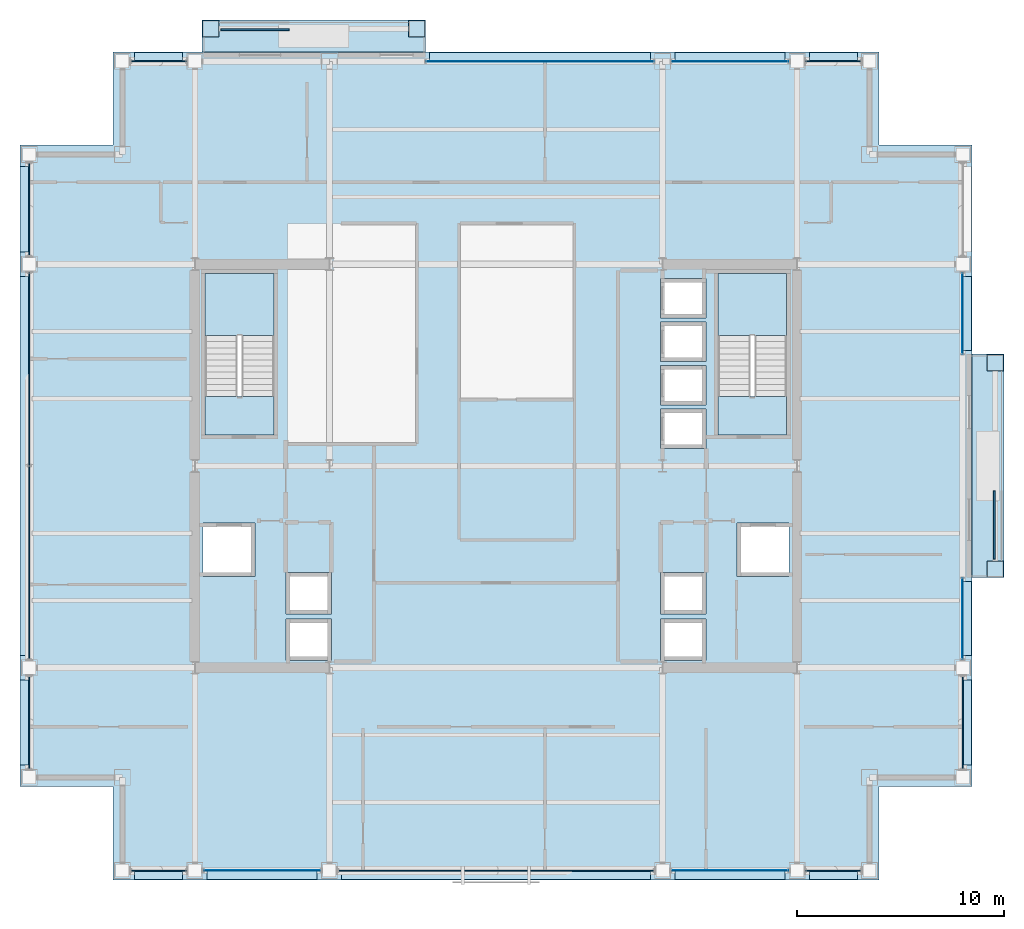
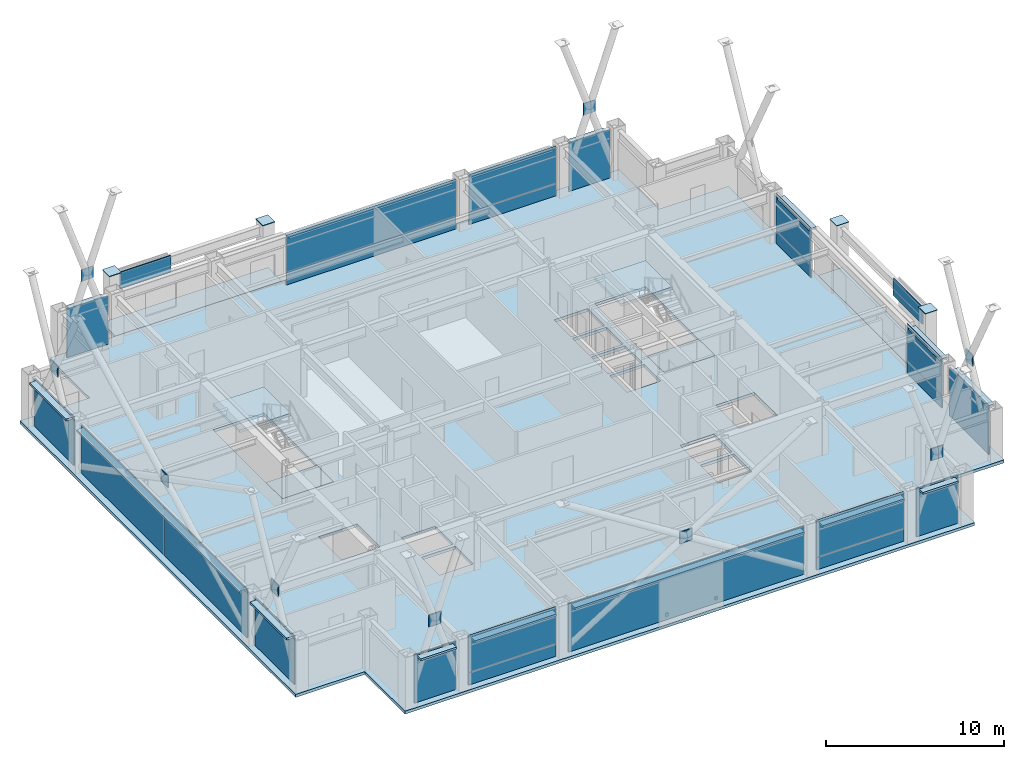
# One storey, part 26 of 33: 52 plates, 7 slabs, 17 elements without a shape of their own.
"""IFC4 building model written with IfcOpenShell, lengths in metres."""

from ifc_helpers import new_model, si_unit, direction, frame, origin, origin_2d, place, context, subcontext, project, spatial, polyline, rectangle, outline, extrude, material, layer, layer_set, type_object, element, aggregate, save


model = new_model("IFC4")

# Units and contexts
model_context = context("Model", 3, precision=1e-05, world=origin(), true_north=direction((0.0, 1.0)))
body_context = subcontext(model_context, "Body", "Model", "MODEL_VIEW")
ifc_project = project(units=[si_unit("LENGTHUNIT", "METRE"), si_unit("AREAUNIT", "SQUARE_METRE"), si_unit("VOLUMEUNIT", "CUBIC_METRE"), si_unit("PLANEANGLEUNIT", "RADIAN"), si_unit("MASSUNIT", "GRAM", prefix="KILO")], contexts=[model_context])

# Site, building, storey
site_placement = place(None, origin())
site = spatial("IfcSite", under=ifc_project, at=site_placement, CompositionType="ELEMENT")
building_placement = place(site_placement, origin())
building = spatial("IfcBuilding", under=site, at=building_placement, Name="Brelmoor Portico Tower", CompositionType="ELEMENT")
storey_placement = place(building_placement, frame((0.0, 0.0, 120.60009765625)))
storey = spatial("IfcBuildingStorey", under=building, at=storey_placement, Name="L31", CompositionType="ELEMENT", Elevation=120.60009765625)

# Plates
ifc_material_1 = material(Name="Steel Q355B", Category="steel")
ifc_layer_1 = layer(ifc_material_1, 0.044921875)
ifc_layer_set_1 = layer_set([ifc_layer_1], Name="Steel Q355B")
plate_type_1 = type_object("IfcPlateType", Name="PT-CAP-650", PredefinedType="SHEET", material=ifc_layer_set_1)
for number, where, z_axis, x_axis, name in (
    (1, (-13.780029296875, 21.1298828125, 3.599853515625), (0.0, 0.0, 1.0), (1.0, 0.0, 0.0), "L31 Proud Picture-Frame Pier PFJ-N1 Welded Head Cap Plate"),
    (2, (-3.820068359375, 21.1298828125, 3.599853515625), (0.0, 0.0, 1.0), (1.0, 0.0, 0.0), "L31 Proud Picture-Frame Pier PFJ-N2 Welded Head Cap Plate"),
    (3, (24.1298828125, -4.97998046875, 3.599853515625), (0.0, 0.0, 1.0), (0.0, 1.0, 0.0), "L31 Proud Picture-Frame Pier PFJ-E1 Welded Head Cap Plate"),
    (4, (24.1298828125, 4.97998046875, 3.599853515625), (0.0, 0.0, 1.0), (0.0, 1.0, 0.0), "L31 Proud Picture-Frame Pier PFJ-E2 Welded Head Cap Plate"),
):
    element("IfcPlate", number, at=place(storey_placement, frame(where, z_axis=z_axis, x_axis=x_axis)), inside=storey, type_object=plate_type_1, Name=name, PredefinedType="SHEET", context=body_context, shape_type="SweptSolid", body=[
        extrude(rectangle(XDim=0.7900390625, YDim=0.7900390625, at=origin_2d()), origin(), (0.0, 0.0, 1.0), 0.0400390625),
    ])

# Curtain wall, plate
ifc_material_2 = material(Name="Anodised Aluminium Alloy 6063-T6", Category="aluminium")
ifc_layer_2 = layer(ifc_material_2, 0.179931640625)
ifc_layer_set_2 = layer_set([ifc_layer_2], Name="Anodised Aluminium Alloy 6063-T6")
curtain_wall_type_1 = type_object("IfcCurtainWallType", Name="CW-TOWER-Z2", PredefinedType="NOTDEFINED", material=ifc_layer_set_2)
curtain_wall_1_placement = place(storey_placement, origin())
curtain_wall_1 = element("IfcCurtainWall", 5, at=curtain_wall_1_placement, inside=storey, type_object=curtain_wall_type_1, Name="L31 Curtain Wall CW-L31-01-2", PredefinedType="NOTDEFINED")
ifc_material_3 = material(Name="Double-Silver Low-E Insulated Glazing", Category="glass")
ifc_layer_3 = layer(ifc_material_3, 0.035888671875)
ifc_layer_set_3 = layer_set([ifc_layer_3], Name="Double-Silver Low-E Insulated Glazing")
plate_type_2 = type_object("IfcPlateType", Name="PT-CW-GLASS", PredefinedType="CURTAIN_PANEL", material=ifc_layer_set_3)
plate_1_placement = place(storey_placement, frame((-11.300048828125, -19.550048828125, 0.85009765625), z_axis=(0.0, 0.0, 1.0), x_axis=(1.0, 0.0, 0.0)))
plate_1 = element("IfcPlate", 6, at=plate_1_placement, type_object=plate_type_2, Name="CW-L31-01-2 Vision Glass Panel 00", PredefinedType="CURTAIN_PANEL", context=body_context, shape_type="SweptSolid", body=[
    extrude(rectangle(XDim=5.64990234375, YDim=0.035888671875, at=origin_2d()), origin(), (0.0, 0.0, 1.0), 2.550048828125),
])

curtain_wall_2_placement = place(storey_placement, origin())
curtain_wall_2 = element("IfcCurtainWall", 7, at=curtain_wall_2_placement, inside=storey, type_object=curtain_wall_type_1, Name="L31 Curtain Wall CW-L31-01-4", PredefinedType="NOTDEFINED")
plate_2_placement = place(storey_placement, frame((11.300048828125, -19.550048828125, 0.85009765625), z_axis=(0.0, 0.0, 1.0), x_axis=(1.0, 0.0, 0.0)))
plate_2 = element("IfcPlate", 8, at=plate_2_placement, type_object=plate_type_2, Name="CW-L31-01-4 Vision Glass Panel 00", PredefinedType="CURTAIN_PANEL", context=body_context, shape_type="SweptSolid", body=[
    extrude(rectangle(XDim=5.64990234375, YDim=0.035888671875, at=origin_2d()), origin(), (0.0, 0.0, 1.0), 2.550048828125),
])

curtain_wall_3_placement = place(storey_placement, origin())
curtain_wall_3 = element("IfcCurtainWall", 9, at=curtain_wall_3_placement, inside=storey, type_object=curtain_wall_type_1, Name="L31 Curtain Wall CW-L31-2R-1", PredefinedType="NOTDEFINED")
plate_3_placement = place(storey_placement, frame((2.1201171875, 19.550048828125, 0.85009765625), z_axis=(0.0, 0.0, 1.0), x_axis=(1.0, 0.0, 0.0)))
plate_3 = element("IfcPlate", 10, at=plate_3_placement, type_object=plate_type_2, Name="CW-L31-2R-1 Vision Glass Panel 00", PredefinedType="CURTAIN_PANEL", context=body_context, shape_type="SweptSolid", body=[
    extrude(rectangle(XDim=11.010009765625, YDim=0.035888671875, at=origin_2d()), origin(), (0.0, 0.0, 1.0), 2.550048828125),
])

curtain_wall_4_placement = place(storey_placement, origin())
curtain_wall_4 = element("IfcCurtainWall", 11, at=curtain_wall_4_placement, inside=storey, type_object=curtain_wall_type_1, Name="L31 Curtain Wall CW-L31-2R-2", PredefinedType="NOTDEFINED")
plate_4_placement = place(storey_placement, frame((11.300048828125, 19.550048828125, 0.85009765625), z_axis=(0.0, 0.0, 1.0), x_axis=(1.0, 0.0, 0.0)))
plate_4 = element("IfcPlate", 12, at=plate_4_placement, type_object=plate_type_2, Name="CW-L31-2R-2 Vision Glass Panel 00", PredefinedType="CURTAIN_PANEL", context=body_context, shape_type="SweptSolid", body=[
    extrude(rectangle(XDim=5.64990234375, YDim=0.035888671875, at=origin_2d()), origin(), (0.0, 0.0, 1.0), 2.550048828125),
])

curtain_wall_5_placement = place(storey_placement, origin())
curtain_wall_5 = element("IfcCurtainWall", 13, at=curtain_wall_5_placement, inside=storey, type_object=curtain_wall_type_1, Name="L31 Curtain Wall CW-L31-4L-2", PredefinedType="NOTDEFINED")
plate_5_placement = place(storey_placement, frame((22.550048828125, -7.3701171875, 0.85009765625), z_axis=(0.0, 0.0, 1.0), x_axis=(0.0, 1.0, 0.0)))
plate_5 = element("IfcPlate", 14, at=plate_5_placement, type_object=plate_type_2, Name="CW-L31-4L-2 Vision Glass Panel 00", PredefinedType="CURTAIN_PANEL", context=body_context, shape_type="SweptSolid", body=[
    extrude(rectangle(XDim=3.909912109375, YDim=0.035888671875, at=origin_2d()), origin(), (0.0, 0.0, 1.0), 2.550048828125),
])

curtain_wall_6_placement = place(storey_placement, origin())
curtain_wall_6 = element("IfcCurtainWall", 15, at=curtain_wall_6_placement, inside=storey, type_object=curtain_wall_type_1, Name="L31 Curtain Wall CW-L31-4R-1", PredefinedType="NOTDEFINED")
plate_6_placement = place(storey_placement, frame((22.550048828125, 7.3701171875, 0.85009765625), z_axis=(0.0, 0.0, 1.0), x_axis=(0.0, 1.0, 0.0)))
plate_6 = element("IfcPlate", 16, at=plate_6_placement, type_object=plate_type_2, Name="CW-L31-4R-1 Vision Glass Panel 00", PredefinedType="CURTAIN_PANEL", context=body_context, shape_type="SweptSolid", body=[
    extrude(rectangle(XDim=3.909912109375, YDim=0.035888671875, at=origin_2d()), origin(), (0.0, 0.0, 1.0), 2.550048828125),
])

ifc_layer_4 = layer(ifc_material_2, 0.179931640625)
ifc_layer_set_4 = layer_set([ifc_layer_4], Name="Anodised Aluminium Alloy 6063-T6")
curtain_wall_type_2 = type_object("IfcCurtainWallType", Name="CW-TOWER-Z2-XB", PredefinedType="NOTDEFINED", material=ifc_layer_set_4)
curtain_wall_7_placement = place(storey_placement, origin())
curtain_wall_7 = element("IfcCurtainWall", 17, at=curtain_wall_7_placement, inside=storey, type_object=curtain_wall_type_2, Name="L31 Curtain Wall CW-L31-01-1", PredefinedType="NOTDEFINED")
ifc_material_4 = material(Name="Pale Champagne Anodised Aluminium Panel", Category="aluminium")
ifc_layer_5 = layer(ifc_material_4, 0.050048828125)
ifc_layer_set_5 = layer_set([ifc_layer_5], Name="Pale Champagne Anodised Aluminium Panel")
plate_type_3 = type_object("IfcPlateType", Name="PT-CW-SPANDREL", PredefinedType="SHEET", material=ifc_layer_set_5)
plate_7_placement = place(storey_placement, frame((-16.300048828125, -19.550048828125, -0.000244140625), z_axis=(0.0, 0.0, 1.0), x_axis=(1.0, 0.0, 0.0)))
plate_7 = element("IfcPlate", 18, at=plate_7_placement, type_object=plate_type_3, Name="CW-L31-01-1 Spandrel Panel 00", PredefinedType="SHEET", context=body_context, shape_type="SweptSolid", body=[
    extrude(rectangle(XDim=2.64990234375, YDim=0.050048828125, at=origin_2d()), origin(), (0.0, 0.0, 1.0), 3.330078125),
])
aggregate(curtain_wall_7, [plate_7])

# Plate
plate_8_placement = place(storey_placement, frame((-11.300048828125, -19.550048828125, -0.000244140625), z_axis=(0.0, 0.0, 1.0), x_axis=(1.0, 0.0, 0.0)))
plate_8 = element("IfcPlate", 19, at=plate_8_placement, type_object=plate_type_3, Name="CW-L31-01-2 Spandrel Panel 00", PredefinedType="SHEET", context=body_context, shape_type="SweptSolid", body=[
    extrude(rectangle(XDim=5.64990234375, YDim=0.050048828125, at=origin_2d()), origin(), (0.0, 0.0, 1.0), 0.85009765625),
])

aggregate(curtain_wall_1, [plate_8, plate_1])

# Curtain wall, plate
curtain_wall_8_placement = place(storey_placement, origin())
curtain_wall_8 = element("IfcCurtainWall", 20, at=curtain_wall_8_placement, inside=storey, type_object=curtain_wall_type_2, Name="L31 Curtain Wall CW-L31-01-3", PredefinedType="NOTDEFINED")
plate_9_placement = place(storey_placement, frame((0.0, -19.550048828125, -0.000244140625), z_axis=(0.0, 0.0, 1.0), x_axis=(1.0, 0.0, 0.0)))
plate_9 = element("IfcPlate", 21, at=plate_9_placement, type_object=plate_type_3, Name="CW-L31-01-3 Spandrel Panel 00", PredefinedType="SHEET", context=body_context, shape_type="SweptSolid", body=[
    extrude(rectangle(XDim=15.25, YDim=0.050048828125, at=origin_2d()), origin(), (0.0, 0.0, 1.0), 3.330078125),
])
aggregate(curtain_wall_8, [plate_9])

# Plate
plate_10_placement = place(storey_placement, frame((11.300048828125, -19.550048828125, -0.000244140625), z_axis=(0.0, 0.0, 1.0), x_axis=(1.0, 0.0, 0.0)))
plate_10 = element("IfcPlate", 22, at=plate_10_placement, type_object=plate_type_3, Name="CW-L31-01-4 Spandrel Panel 00", PredefinedType="SHEET", context=body_context, shape_type="SweptSolid", body=[
    extrude(rectangle(XDim=5.64990234375, YDim=0.050048828125, at=origin_2d()), origin(), (0.0, 0.0, 1.0), 0.85009765625),
])

aggregate(curtain_wall_2, [plate_10, plate_2])

# Curtain wall, plate
curtain_wall_9_placement = place(storey_placement, origin())
curtain_wall_9 = element("IfcCurtainWall", 23, at=curtain_wall_9_placement, inside=storey, type_object=curtain_wall_type_2, Name="L31 Curtain Wall CW-L31-01-5", PredefinedType="NOTDEFINED")
plate_11_placement = place(storey_placement, frame((16.300048828125, -19.550048828125, -0.000244140625), z_axis=(0.0, 0.0, 1.0), x_axis=(1.0, 0.0, 0.0)))
plate_11 = element("IfcPlate", 24, at=plate_11_placement, type_object=plate_type_3, Name="CW-L31-01-5 Spandrel Panel 00", PredefinedType="SHEET", context=body_context, shape_type="SweptSolid", body=[
    extrude(rectangle(XDim=2.64990234375, YDim=0.050048828125, at=origin_2d()), origin(), (0.0, 0.0, 1.0), 3.330078125),
])
aggregate(curtain_wall_9, [plate_11])

curtain_wall_10_placement = place(storey_placement, origin())
curtain_wall_10 = element("IfcCurtainWall", 25, at=curtain_wall_10_placement, inside=storey, type_object=curtain_wall_type_2, Name="L31 Curtain Wall CW-L31-2L", PredefinedType="NOTDEFINED")
plate_12_placement = place(storey_placement, frame((-16.300048828125, 19.550048828125, -0.000244140625), z_axis=(0.0, 0.0, 1.0), x_axis=(1.0, 0.0, 0.0)))
plate_12 = element("IfcPlate", 26, at=plate_12_placement, type_object=plate_type_3, Name="CW-L31-2L Spandrel Panel 00", PredefinedType="SHEET", context=body_context, shape_type="SweptSolid", body=[
    extrude(rectangle(XDim=2.64990234375, YDim=0.050048828125, at=origin_2d()), origin(), (0.0, 0.0, 1.0), 3.330078125),
])
aggregate(curtain_wall_10, [plate_12])

# Plate
plate_13_placement = place(storey_placement, frame((2.1201171875, 19.550048828125, -0.000244140625), z_axis=(0.0, 0.0, 1.0), x_axis=(1.0, 0.0, 0.0)))
plate_13 = element("IfcPlate", 27, at=plate_13_placement, type_object=plate_type_3, Name="CW-L31-2R-1 Spandrel Panel 00", PredefinedType="SHEET", context=body_context, shape_type="SweptSolid", body=[
    extrude(rectangle(XDim=11.010009765625, YDim=0.050048828125, at=origin_2d()), origin(), (0.0, 0.0, 1.0), 0.85009765625),
])

aggregate(curtain_wall_3, [plate_13, plate_3])

plate_14_placement = place(storey_placement, frame((11.300048828125, 19.550048828125, -0.000244140625), z_axis=(0.0, 0.0, 1.0), x_axis=(1.0, 0.0, 0.0)))
plate_14 = element("IfcPlate", 28, at=plate_14_placement, type_object=plate_type_3, Name="CW-L31-2R-2 Spandrel Panel 00", PredefinedType="SHEET", context=body_context, shape_type="SweptSolid", body=[
    extrude(rectangle(XDim=5.64990234375, YDim=0.050048828125, at=origin_2d()), origin(), (0.0, 0.0, 1.0), 0.85009765625),
])

aggregate(curtain_wall_4, [plate_14, plate_4])

# Curtain wall, plate
curtain_wall_11_placement = place(storey_placement, origin())
curtain_wall_11 = element("IfcCurtainWall", 29, at=curtain_wall_11_placement, inside=storey, type_object=curtain_wall_type_2, Name="L31 Curtain Wall CW-L31-2R-3", PredefinedType="NOTDEFINED")
plate_15_placement = place(storey_placement, frame((16.300048828125, 19.550048828125, -0.000244140625), z_axis=(0.0, 0.0, 1.0), x_axis=(1.0, 0.0, 0.0)))
plate_15 = element("IfcPlate", 30, at=plate_15_placement, type_object=plate_type_3, Name="CW-L31-2R-3 Spandrel Panel 00", PredefinedType="SHEET", context=body_context, shape_type="SweptSolid", body=[
    extrude(rectangle(XDim=2.64990234375, YDim=0.050048828125, at=origin_2d()), origin(), (0.0, 0.0, 1.0), 3.330078125),
])
aggregate(curtain_wall_11, [plate_15])

curtain_wall_12_placement = place(storey_placement, origin())
curtain_wall_12 = element("IfcCurtainWall", 31, at=curtain_wall_12_placement, inside=storey, type_object=curtain_wall_type_2, Name="L31 Curtain Wall CW-L31-03-1", PredefinedType="NOTDEFINED")
plate_16_placement = place(storey_placement, frame((-22.550048828125, -12.39990234375, -0.000244140625), z_axis=(0.0, 0.0, 1.0), x_axis=(0.0, 1.0, 0.0)))
plate_16 = element("IfcPlate", 32, at=plate_16_placement, type_object=plate_type_3, Name="CW-L31-03-1 Spandrel Panel 00", PredefinedType="SHEET", context=body_context, shape_type="SweptSolid", body=[
    extrude(rectangle(XDim=4.449951171875, YDim=0.050048828125, at=origin_2d()), origin(), (0.0, 0.0, 1.0), 3.330078125),
])
aggregate(curtain_wall_12, [plate_16])

# Curtain wall, plates
curtain_wall_13_placement = place(storey_placement, origin())
curtain_wall_13 = element("IfcCurtainWall", 33, at=curtain_wall_13_placement, inside=storey, type_object=curtain_wall_type_2, Name="L31 Curtain Wall CW-L31-03-2", PredefinedType="NOTDEFINED")
plate_17_placement = place(storey_placement, frame((-22.550048828125, -4.669921875, -0.000244140625), z_axis=(0.0, 0.0, 1.0), x_axis=(0.0, 1.0, 0.0)))
plate_17 = element("IfcPlate", 34, at=plate_17_placement, type_object=plate_type_3, Name="CW-L31-03-2 Spandrel Panel 00", PredefinedType="SHEET", context=body_context, shape_type="SweptSolid", body=[
    extrude(rectangle(XDim=9.31005859375, YDim=0.050048828125, at=origin_2d()), origin(), (0.0, 0.0, 1.0), 3.330078125),
])
plate_18_placement = place(storey_placement, frame((-22.550048828125, 4.669921875, -0.000244140625), z_axis=(0.0, 0.0, 1.0), x_axis=(0.0, 1.0, 0.0)))
plate_18 = element("IfcPlate", 35, at=plate_18_placement, type_object=plate_type_3, Name="CW-L31-03-2 Spandrel Panel 01", PredefinedType="SHEET", context=body_context, shape_type="SweptSolid", body=[
    extrude(rectangle(XDim=9.31005859375, YDim=0.050048828125, at=origin_2d()), origin(), (0.0, 0.0, 1.0), 3.330078125),
])
aggregate(curtain_wall_13, [plate_17, plate_18])

# Curtain wall, plate
curtain_wall_14_placement = place(storey_placement, origin())
curtain_wall_14 = element("IfcCurtainWall", 36, at=curtain_wall_14_placement, inside=storey, type_object=curtain_wall_type_2, Name="L31 Curtain Wall CW-L31-03-3", PredefinedType="NOTDEFINED")
plate_19_placement = place(storey_placement, frame((-22.550048828125, 12.39990234375, -0.000244140625), z_axis=(0.0, 0.0, 1.0), x_axis=(0.0, 1.0, 0.0)))
plate_19 = element("IfcPlate", 37, at=plate_19_placement, type_object=plate_type_3, Name="CW-L31-03-3 Spandrel Panel 00", PredefinedType="SHEET", context=body_context, shape_type="SweptSolid", body=[
    extrude(rectangle(XDim=4.449951171875, YDim=0.050048828125, at=origin_2d()), origin(), (0.0, 0.0, 1.0), 3.330078125),
])
aggregate(curtain_wall_14, [plate_19])

curtain_wall_15_placement = place(storey_placement, origin())
curtain_wall_15 = element("IfcCurtainWall", 38, at=curtain_wall_15_placement, inside=storey, type_object=curtain_wall_type_2, Name="L31 Curtain Wall CW-L31-4L-1", PredefinedType="NOTDEFINED")
plate_20_placement = place(storey_placement, frame((22.550048828125, -12.39990234375, -0.000244140625), z_axis=(0.0, 0.0, 1.0), x_axis=(0.0, 1.0, 0.0)))
plate_20 = element("IfcPlate", 39, at=plate_20_placement, type_object=plate_type_3, Name="CW-L31-4L-1 Spandrel Panel 00", PredefinedType="SHEET", context=body_context, shape_type="SweptSolid", body=[
    extrude(rectangle(XDim=4.449951171875, YDim=0.050048828125, at=origin_2d()), origin(), (0.0, 0.0, 1.0), 3.330078125),
])
aggregate(curtain_wall_15, [plate_20])

# Plate
plate_21_placement = place(storey_placement, frame((22.550048828125, -7.3701171875, -0.000244140625), z_axis=(0.0, 0.0, 1.0), x_axis=(0.0, 1.0, 0.0)))
plate_21 = element("IfcPlate", 40, at=plate_21_placement, type_object=plate_type_3, Name="CW-L31-4L-2 Spandrel Panel 00", PredefinedType="SHEET", context=body_context, shape_type="SweptSolid", body=[
    extrude(rectangle(XDim=3.909912109375, YDim=0.050048828125, at=origin_2d()), origin(), (0.0, 0.0, 1.0), 0.85009765625),
])

aggregate(curtain_wall_5, [plate_21, plate_5])

plate_22_placement = place(storey_placement, frame((22.550048828125, 7.3701171875, -0.000244140625), z_axis=(0.0, 0.0, 1.0), x_axis=(0.0, 1.0, 0.0)))
plate_22 = element("IfcPlate", 41, at=plate_22_placement, type_object=plate_type_3, Name="CW-L31-4R-1 Spandrel Panel 00", PredefinedType="SHEET", context=body_context, shape_type="SweptSolid", body=[
    extrude(rectangle(XDim=3.909912109375, YDim=0.050048828125, at=origin_2d()), origin(), (0.0, 0.0, 1.0), 0.85009765625),
])

aggregate(curtain_wall_6, [plate_22, plate_6])

# Plates
ifc_layer_6 = layer(ifc_material_1, 0.050048828125)
ifc_layer_set_6 = layer_set([ifc_layer_6], Name="Steel Q355B")
plate_type_4 = type_object("IfcPlateType", Name="PT-GUSSET-800", PredefinedType="USERDEFINED", material=ifc_layer_set_6)
for number, where, z_axis, x_axis, name in (
    (42, (-16.300048828125, -19.550048828125, 4.89990234375), (0.0, 0.0, 1.0), (1.0, 0.0, 0.0), "L31 Perimeter Mega-Brace Gusset 064"),
    (43, (0.0, -19.550048828125, 4.89990234375), (0.0, 0.0, 1.0), (1.0, 0.0, 0.0), "L31 Perimeter Mega-Brace Gusset 065"),
    (44, (16.300048828125, -19.550048828125, 4.89990234375), (0.0, 0.0, 1.0), (1.0, 0.0, 0.0), "L31 Perimeter Mega-Brace Gusset 066"),
    (45, (-16.300048828125, 19.550048828125, 4.89990234375), (0.0, 0.0, 1.0), (1.0, 0.0, 0.0), "L31 Perimeter Mega-Brace Gusset 067"),
    (46, (16.300048828125, 19.550048828125, 4.89990234375), (0.0, 0.0, 1.0), (1.0, 0.0, 0.0), "L31 Perimeter Mega-Brace Gusset 068"),
):
    element("IfcPlate", number, at=place(storey_placement, frame(where, z_axis=z_axis, x_axis=x_axis)), inside=storey, type_object=plate_type_4, Name=name, ObjectType="GUSSET PLATE", PredefinedType="USERDEFINED", context=body_context, shape_type="SweptSolid", body=[
        extrude(rectangle(XDim=0.800048828125, YDim=0.050048828125, at=origin_2d()), origin(), (0.0, 0.0, 1.0), 0.800048828125),
    ])
for number, where, z_axis, x_axis, name in (
    (47, (-22.550048828125, -12.39990234375, 4.89990234375), (0.0, 0.0, 1.0), (1.0, 0.0, 0.0), "L31 Perimeter Mega-Brace Gusset 069"),
    (48, (-22.550048828125, 0.0, 4.89990234375), (0.0, 0.0, 1.0), (1.0, 0.0, 0.0), "L31 Perimeter Mega-Brace Gusset 070"),
    (49, (-22.550048828125, 12.39990234375, 4.89990234375), (0.0, 0.0, 1.0), (1.0, 0.0, 0.0), "L31 Perimeter Mega-Brace Gusset 071"),
    (50, (22.550048828125, -12.39990234375, 4.89990234375), (0.0, 0.0, 1.0), (1.0, 0.0, 0.0), "L31 Perimeter Mega-Brace Gusset 072"),
):
    element("IfcPlate", number, at=place(storey_placement, frame(where, z_axis=z_axis, x_axis=x_axis)), inside=storey, type_object=plate_type_4, Name=name, ObjectType="GUSSET PLATE", PredefinedType="USERDEFINED", context=body_context, shape_type="SweptSolid", body=[
        extrude(rectangle(XDim=0.050048828125, YDim=0.800048828125, at=origin_2d()), origin(), (0.0, 0.0, 1.0), 0.800048828125),
    ])
ifc_material_5 = material(Name="Powder-Coated Aluminium Shuttered Jalousie Louvre", Category="aluminium")
ifc_layer_7 = layer(ifc_material_5, 0.06005859375)
ifc_layer_set_7 = layer_set([ifc_layer_7], Name="Powder-Coated Aluminium Shuttered Jalousie Louvre")
plate_type_5 = type_object("IfcPlateType", Name="PT-JALOUSIE-SHUTTER", PredefinedType="SHEET", material=ifc_layer_set_7)
for number, where, z_axis, x_axis, name in (
    (51, (-11.64990234375, 21.080078125, 2.27490234375), (0.0, 0.0, 1.0), (1.0, 0.0, 0.0), "L31 Shuttered Veranda Screen N"),
    (52, (24.080078125, -2.85009765625, 2.27490234375), (0.0, 0.0, 1.0), (0.0, 1.0, 0.0), "L31 Shuttered Veranda Screen E"),
):
    element("IfcPlate", number, at=place(storey_placement, frame(where, z_axis=z_axis, x_axis=x_axis)), inside=storey, type_object=plate_type_5, Name=name, PredefinedType="SHEET", context=body_context, shape_type="SweptSolid", body=[
        extrude(rectangle(XDim=3.300048828125, YDim=0.080078125, at=origin_2d()), origin(), (0.0, 0.0, 1.0), 1.14990234375),
    ])
ifc_material_6 = material(Name="Pale Champagne Perforated Aluminium Solar Screen", Category="aluminium")
ifc_layer_8 = layer(ifc_material_6, 0.054931640625)
ifc_layer_set_8 = layer_set([ifc_layer_8], Name="Pale Champagne Perforated Aluminium Solar Screen")
plate_type_6 = type_object("IfcPlateType", Name="PT-SOLAR-LOUVRE", PredefinedType="SHEET", material=ifc_layer_set_8)
plate_23_placement = place(storey_placement, frame((-16.300048828125, -19.760009765625, 3.08984375), z_axis=(0.0, 0.0, 1.0), x_axis=(1.0, 0.0, 0.0)))
element("IfcPlate", 53, at=plate_23_placement, inside=storey, type_object=plate_type_6, Name="CW-L31-01-1 Caribbean Brise-Soleil Solar Screen", PredefinedType="SHEET", context=body_context, shape_type="SweptSolid", body=[
    extrude(rectangle(XDim=2.320068359375, YDim=0.4599609375, at=origin_2d()), origin(), (0.0, 0.0, 1.0), 0.139892578125),
])
plate_24_placement = place(storey_placement, frame((-11.300048828125, -19.760009765625, 3.08984375), z_axis=(0.0, 0.0, 1.0), x_axis=(1.0, 0.0, 0.0)))
element("IfcPlate", 54, at=plate_24_placement, inside=storey, type_object=plate_type_6, Name="CW-L31-01-2 Caribbean Brise-Soleil Solar Screen", PredefinedType="SHEET", context=body_context, shape_type="SweptSolid", body=[
    extrude(rectangle(XDim=5.320068359375, YDim=0.4599609375, at=origin_2d()), origin(), (0.0, 0.0, 1.0), 0.139892578125),
])
plate_25_placement = place(storey_placement, frame((0.0, -19.760009765625, 3.08984375), z_axis=(0.0, 0.0, 1.0), x_axis=(1.0, 0.0, 0.0)))
element("IfcPlate", 55, at=plate_25_placement, inside=storey, type_object=plate_type_6, Name="CW-L31-01-3 Caribbean Brise-Soleil Solar Screen", PredefinedType="SHEET", context=body_context, shape_type="SweptSolid", body=[
    extrude(rectangle(XDim=14.919921875, YDim=0.4599609375, at=origin_2d()), origin(), (0.0, 0.0, 1.0), 0.139892578125),
])
plate_26_placement = place(storey_placement, frame((11.300048828125, -19.760009765625, 3.08984375), z_axis=(0.0, 0.0, 1.0), x_axis=(1.0, 0.0, 0.0)))
element("IfcPlate", 56, at=plate_26_placement, inside=storey, type_object=plate_type_6, Name="CW-L31-01-4 Caribbean Brise-Soleil Solar Screen", PredefinedType="SHEET", context=body_context, shape_type="SweptSolid", body=[
    extrude(rectangle(XDim=5.320068359375, YDim=0.4599609375, at=origin_2d()), origin(), (0.0, 0.0, 1.0), 0.139892578125),
])
for number, where, z_axis, x_axis, name in (
    (57, (16.300048828125, -19.760009765625, 3.08984375), (0.0, 0.0, 1.0), (1.0, 0.0, 0.0), "CW-L31-01-5 Caribbean Brise-Soleil Solar Screen"),
    (58, (-16.300048828125, 19.760009765625, 3.08984375), (0.0, 0.0, 1.0), (1.0, 0.0, 0.0), "CW-L31-2L Caribbean Brise-Soleil Solar Screen"),
):
    element("IfcPlate", number, at=place(storey_placement, frame(where, z_axis=z_axis, x_axis=x_axis)), inside=storey, type_object=plate_type_6, Name=name, PredefinedType="SHEET", context=body_context, shape_type="SweptSolid", body=[
        extrude(rectangle(XDim=2.320068359375, YDim=0.4599609375, at=origin_2d()), origin(), (0.0, 0.0, 1.0), 0.139892578125),
    ])
plate_27_placement = place(storey_placement, frame((2.1201171875, 19.760009765625, 3.08984375), z_axis=(0.0, 0.0, 1.0), x_axis=(1.0, 0.0, 0.0)))
element("IfcPlate", 59, at=plate_27_placement, inside=storey, type_object=plate_type_6, Name="CW-L31-2R-1 Caribbean Brise-Soleil Solar Screen", PredefinedType="SHEET", context=body_context, shape_type="SweptSolid", body=[
    extrude(rectangle(XDim=10.679931640625, YDim=0.4599609375, at=origin_2d()), origin(), (0.0, 0.0, 1.0), 0.139892578125),
])
plate_28_placement = place(storey_placement, frame((11.300048828125, 19.760009765625, 3.08984375), z_axis=(0.0, 0.0, 1.0), x_axis=(1.0, 0.0, 0.0)))
element("IfcPlate", 60, at=plate_28_placement, inside=storey, type_object=plate_type_6, Name="CW-L31-2R-2 Caribbean Brise-Soleil Solar Screen", PredefinedType="SHEET", context=body_context, shape_type="SweptSolid", body=[
    extrude(rectangle(XDim=5.320068359375, YDim=0.4599609375, at=origin_2d()), origin(), (0.0, 0.0, 1.0), 0.139892578125),
])
plate_29_placement = place(storey_placement, frame((16.300048828125, 19.760009765625, 3.08984375), z_axis=(0.0, 0.0, 1.0), x_axis=(1.0, 0.0, 0.0)))
element("IfcPlate", 61, at=plate_29_placement, inside=storey, type_object=plate_type_6, Name="CW-L31-2R-3 Caribbean Brise-Soleil Solar Screen", PredefinedType="SHEET", context=body_context, shape_type="SweptSolid", body=[
    extrude(rectangle(XDim=2.320068359375, YDim=0.4599609375, at=origin_2d()), origin(), (0.0, 0.0, 1.0), 0.139892578125),
])
plate_30_placement = place(storey_placement, frame((-22.760009765625, -12.39990234375, 3.08984375), z_axis=(0.0, 0.0, 1.0), x_axis=(0.0, 1.0, 0.0)))
element("IfcPlate", 62, at=plate_30_placement, inside=storey, type_object=plate_type_6, Name="CW-L31-03-1 Caribbean Brise-Soleil Solar Screen", PredefinedType="SHEET", context=body_context, shape_type="SweptSolid", body=[
    extrude(rectangle(XDim=4.1201171875, YDim=0.4599609375, at=origin_2d()), origin(), (0.0, 0.0, 1.0), 0.139892578125),
])
plate_31_placement = place(storey_placement, frame((-22.760009765625, 0.0, 3.08984375), z_axis=(0.0, 0.0, 1.0), x_axis=(0.0, 1.0, 0.0)))
element("IfcPlate", 63, at=plate_31_placement, inside=storey, type_object=plate_type_6, Name="CW-L31-03-2 Caribbean Brise-Soleil Solar Screen", PredefinedType="SHEET", context=body_context, shape_type="SweptSolid", body=[
    extrude(rectangle(XDim=18.320068359375, YDim=0.4599609375, at=origin_2d()), origin(), (0.0, 0.0, 1.0), 0.139892578125),
])
for number, where, z_axis, x_axis, name in (
    (64, (-22.760009765625, 12.39990234375, 3.08984375), (0.0, 0.0, 1.0), (0.0, 1.0, 0.0), "CW-L31-03-3 Caribbean Brise-Soleil Solar Screen"),
    (65, (22.760009765625, -12.39990234375, 3.08984375), (0.0, 0.0, 1.0), (0.0, 1.0, 0.0), "CW-L31-4L-1 Caribbean Brise-Soleil Solar Screen"),
):
    element("IfcPlate", number, at=place(storey_placement, frame(where, z_axis=z_axis, x_axis=x_axis)), inside=storey, type_object=plate_type_6, Name=name, PredefinedType="SHEET", context=body_context, shape_type="SweptSolid", body=[
        extrude(rectangle(XDim=4.1201171875, YDim=0.4599609375, at=origin_2d()), origin(), (0.0, 0.0, 1.0), 0.139892578125),
    ])
for number, where, z_axis, x_axis, name in (
    (66, (22.760009765625, -7.3701171875, 3.08984375), (0.0, 0.0, 1.0), (0.0, 1.0, 0.0), "CW-L31-4L-2 Caribbean Brise-Soleil Solar Screen"),
    (67, (22.760009765625, 7.3701171875, 3.08984375), (0.0, 0.0, 1.0), (0.0, 1.0, 0.0), "CW-L31-4R-1 Caribbean Brise-Soleil Solar Screen"),
):
    element("IfcPlate", number, at=place(storey_placement, frame(where, z_axis=z_axis, x_axis=x_axis)), inside=storey, type_object=plate_type_6, Name=name, PredefinedType="SHEET", context=body_context, shape_type="SweptSolid", body=[
        extrude(rectangle(XDim=3.580078125, YDim=0.4599609375, at=origin_2d()), origin(), (0.0, 0.0, 1.0), 0.139892578125),
    ])

# Slabs
ifc_material_7 = material(Name="Concrete C40", Category="concrete")
ifc_layer_9 = layer(ifc_material_7, 0.199951171875)
ifc_layer_set_9 = layer_set([ifc_layer_9], Name="Concrete C40")
slab_type_1 = type_object("IfcSlabType", Name="SL-BALCONY-200", PredefinedType="FLOOR", material=ifc_layer_set_9)
slab_1_placement = place(storey_placement, frame((0.0, 0.0, -0.2001953125)))
element("IfcSlab", 68, at=slab_1_placement, inside=storey, type_object=slab_type_1, Name="L31 Loggia Tree Balcony Slab N", PredefinedType="FLOOR", context=body_context, shape_type="SweptSolid", body=[
    extrude(outline(polyline([(-14.199951171875, 20.0), (-3.39990234375, 20.0), (-3.39990234375, 21.550048828125), (-14.199951171875, 21.550048828125), (-14.199951171875, 20.0)])), origin(), (0.0, 0.0, 1.0), 0.2001953125),
])
slab_2_placement = place(storey_placement, frame((0.0, 0.0, -0.2001953125)))
element("IfcSlab", 69, at=slab_2_placement, inside=storey, type_object=slab_type_1, Name="L31 Loggia Tree Balcony Slab E", PredefinedType="FLOOR", context=body_context, shape_type="SweptSolid", body=[
    extrude(outline(polyline([(23.0, -5.39990234375), (24.550048828125, -5.39990234375), (24.550048828125, 5.39990234375), (23.0, 5.39990234375), (23.0, -5.39990234375)])), origin(), (0.0, 0.0, 1.0), 0.2001953125),
])
ifc_layer_10 = layer(ifc_material_7, 0.199951171875)
ifc_layer_set_10 = layer_set([ifc_layer_10], Name="Concrete C40")
slab_type_2 = type_object("IfcSlabType", Name="SL-FLOOR-200", PredefinedType="FLOOR", material=ifc_layer_set_10)
slab_3_placement = place(storey_placement, frame((0.0, 0.0, -0.2001953125)))
element("IfcSlab", 70, at=slab_3_placement, inside=storey, type_object=slab_type_2, Name="L31 Main Structural Floor Slab", PredefinedType="FLOOR", context=body_context, shape_type="SweptSolid", body=[
    extrude(outline(polyline([(-18.5, -20.0), (18.5, -20.0), (18.5, -15.5), (23.0, -15.5), (23.0, 15.5), (18.5, 15.5), (18.5, 20.0), (-18.5, 20.0), (-18.5, 15.5), (-23.0, 15.5), (-23.0, -15.5), (-18.5, -15.5), (-18.5, -20.0)]), holes=[polyline([(-10.72998046875, 1.5), (-10.72998046875, 9.300048828125), (-14.050048828125, 9.300048828125), (-14.050048828125, 1.5), (-10.72998046875, 1.5)]), polyline([(14.050048828125, 1.5), (14.050048828125, 9.300048828125), (10.72998046875, 9.300048828125), (10.72998046875, 1.5), (14.050048828125, 1.5)]), polyline([(7.949951171875, 0.85009765625), (10.14990234375, 0.85009765625), (10.14990234375, 2.75), (7.949951171875, 2.75), (7.949951171875, 0.85009765625)]), polyline([(7.949951171875, 2.949951171875), (10.14990234375, 2.949951171875), (10.14990234375, 4.85009765625), (7.949951171875, 4.85009765625), (7.949951171875, 2.949951171875)]), polyline([(7.949951171875, 5.050048828125), (10.14990234375, 5.050048828125), (10.14990234375, 6.949951171875), (7.949951171875, 6.949951171875), (7.949951171875, 5.050048828125)]), polyline([(7.949951171875, 7.14990234375), (10.14990234375, 7.14990234375), (10.14990234375, 9.050048828125), (7.949951171875, 9.050048828125), (7.949951171875, 7.14990234375)]), polyline([(-10.14990234375, -9.39990234375), (-7.949951171875, -9.39990234375), (-7.949951171875, -7.39990234375), (-10.14990234375, -7.39990234375), (-10.14990234375, -9.39990234375)]), polyline([(-10.14990234375, -7.14990234375), (-7.949951171875, -7.14990234375), (-7.949951171875, -5.14990234375), (-10.14990234375, -5.14990234375), (-10.14990234375, -7.14990234375)]), polyline([(7.949951171875, -9.39990234375), (10.14990234375, -9.39990234375), (10.14990234375, -7.39990234375), (7.949951171875, -7.39990234375), (7.949951171875, -9.39990234375)]), polyline([(7.949951171875, -7.14990234375), (10.14990234375, -7.14990234375), (10.14990234375, -5.14990234375), (7.949951171875, -5.14990234375), (7.949951171875, -7.14990234375)]), polyline([(-14.14990234375, -5.35009765625), (-11.64990234375, -5.35009765625), (-11.64990234375, -2.75), (-14.14990234375, -2.75), (-14.14990234375, -5.35009765625)]), polyline([(11.64990234375, -5.35009765625), (14.14990234375, -5.35009765625), (14.14990234375, -2.75), (11.64990234375, -2.75), (11.64990234375, -5.35009765625)])]), origin(), (0.0, 0.0, 1.0), 0.2001953125),
])

# Stair, slab
stair_type_1 = type_object("IfcStairType", Name="ST-CORE-W", PredefinedType="HALF_TURN_STAIR", material=ifc_material_7)
stair_1_placement = place(storey_placement, origin())
stair_1 = element("IfcStair", 71, at=stair_1_placement, inside=storey, type_object=stair_type_1, Name="L31 Protected Core Exit Stair ST-W", PredefinedType="HALF_TURN_STAIR")
ifc_layer_11 = layer(ifc_material_7, 0.179931640625)
ifc_layer_set_11 = layer_set([ifc_layer_11], Name="Concrete C40")
slab_type_3 = type_object("IfcSlabType", Name="SL-LANDING-180", PredefinedType="LANDING", material=ifc_layer_set_11)
slab_4_placement = place(storey_placement, frame((0.0, 0.0, 1.599853515625)))
slab_4 = element("IfcSlab", 72, at=slab_4_placement, type_object=slab_type_3, Name="ST-W landing 1", PredefinedType="LANDING", context=body_context, shape_type="SweptSolid", body=[
    extrude(outline(polyline([(-10.72998046875, 6.300048828125), (-10.72998046875, 9.300048828125), (-14.050048828125, 9.300048828125), (-14.050048828125, 6.300048828125), (-10.72998046875, 6.300048828125)])), origin(), (0.0, 0.0, 1.0), 0.199951171875),
])
aggregate(stair_1, [slab_4])

stair_type_2 = type_object("IfcStairType", Name="ST-CORE-E", PredefinedType="HALF_TURN_STAIR", material=ifc_material_7)
stair_2_placement = place(storey_placement, origin())
stair_2 = element("IfcStair", 73, at=stair_2_placement, inside=storey, type_object=stair_type_2, Name="L31 Protected Core Exit Stair ST-E", PredefinedType="HALF_TURN_STAIR")
slab_5_placement = place(storey_placement, frame((0.0, 0.0, 1.599853515625)))
slab_5 = element("IfcSlab", 74, at=slab_5_placement, type_object=slab_type_3, Name="ST-E landing 1", PredefinedType="LANDING", context=body_context, shape_type="SweptSolid", body=[
    extrude(outline(polyline([(14.050048828125, 6.300048828125), (14.050048828125, 9.300048828125), (10.72998046875, 9.300048828125), (10.72998046875, 6.300048828125), (14.050048828125, 6.300048828125)])), origin(), (0.0, 0.0, 1.0), 0.199951171875),
])
aggregate(stair_2, [slab_5])

# Slabs
ifc_layer_12 = layer(ifc_material_7, 0.199951171875)
ifc_layer_set_12 = layer_set([ifc_layer_12], Name="Concrete C40")
slab_type_4 = type_object("IfcSlabType", Name="SL-STAIR-FL200", PredefinedType="LANDING", material=ifc_layer_set_12)
slab_6_placement = place(storey_placement, frame((0.0, 0.0, -0.2001953125)))
element("IfcSlab", 75, at=slab_6_placement, inside=storey, type_object=slab_type_4, Name="L31 ST-W Structural Floor Landing Slab", PredefinedType="LANDING", context=body_context, shape_type="SweptSolid", body=[
    extrude(outline(polyline([(-10.72998046875, 1.5), (-10.72998046875, 3.35009765625), (-14.050048828125, 3.35009765625), (-14.050048828125, 1.5), (-10.72998046875, 1.5)])), origin(), (0.0, 0.0, 1.0), 0.2001953125),
])
slab_7_placement = place(storey_placement, frame((0.0, 0.0, -0.2001953125)))
element("IfcSlab", 76, at=slab_7_placement, inside=storey, type_object=slab_type_4, Name="L31 ST-E Structural Floor Landing Slab", PredefinedType="LANDING", context=body_context, shape_type="SweptSolid", body=[
    extrude(outline(polyline([(14.050048828125, 1.5), (14.050048828125, 3.35009765625), (10.72998046875, 3.35009765625), (10.72998046875, 1.5), (14.050048828125, 1.5)])), origin(), (0.0, 0.0, 1.0), 0.2001953125),
])

save(model, "model.ifc")
